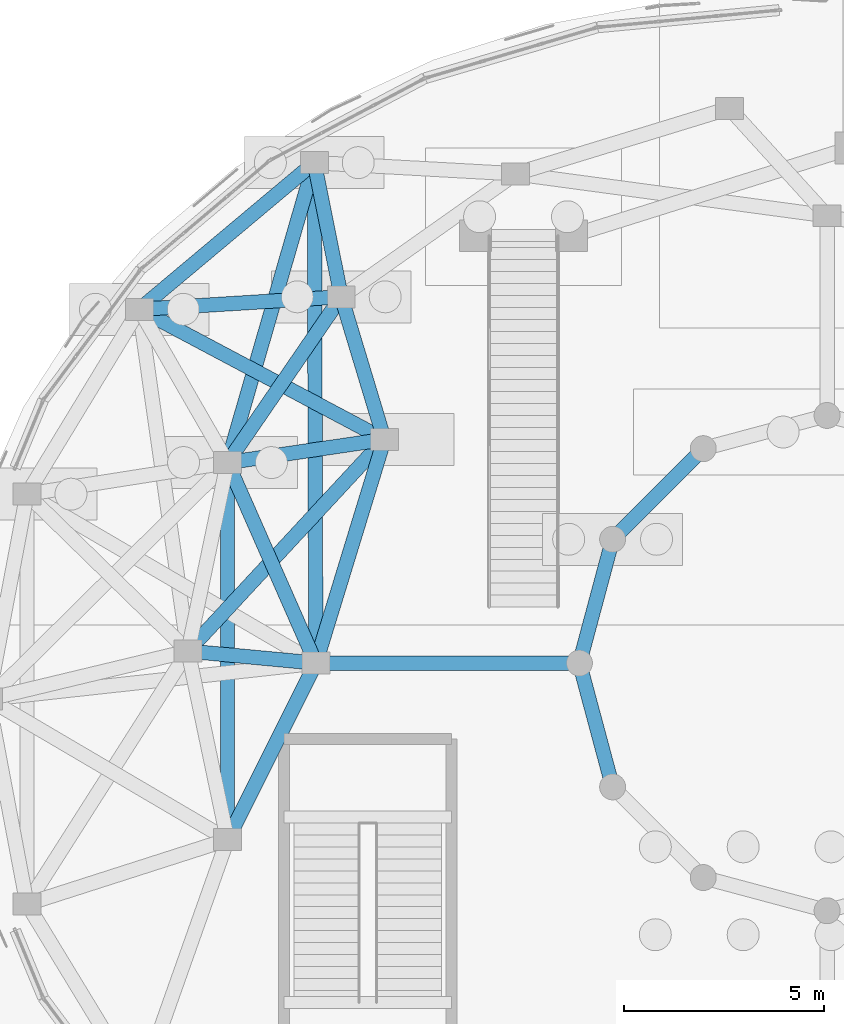
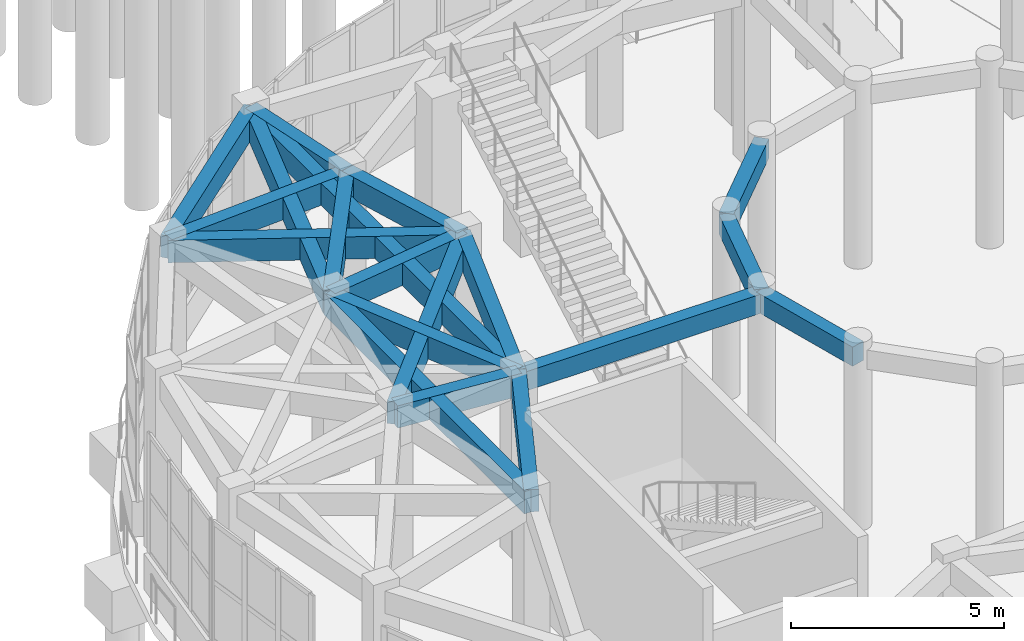
# One storey, part 17 of 96: 19 beams.
"""IFC4 building model written with IfcOpenShell, lengths in metres."""

from ifc_helpers import new_model, si_unit, direction, frame, origin, origin_2d, place, context, subcontext, project, spatial, rectangle, extrude, material, material_profile, profile_set, type_object, element, save


model = new_model("IFC4")

# Units and contexts
model_context = context("Model", 3, precision=1e-05, world=origin(), true_north=direction((0.0, 1.0)))
body_context = subcontext(model_context, "Body", "Model", "MODEL_VIEW")
ifc_project = project(units=[si_unit("LENGTHUNIT", "METRE"), si_unit("AREAUNIT", "SQUARE_METRE"), si_unit("VOLUMEUNIT", "CUBIC_METRE"), si_unit("PLANEANGLEUNIT", "RADIAN"), si_unit("MASSUNIT", "GRAM", prefix="KILO")], contexts=[model_context])

# Site, building, storey
site_placement = place(None, origin())
site = spatial("IfcSite", under=ifc_project, at=site_placement, CompositionType="ELEMENT")
building_placement = place(site_placement, origin())
building = spatial("IfcBuilding", under=site, at=building_placement, Name="Pelvatis Terrace Science Centre", CompositionType="ELEMENT")
storey_placement = place(building_placement, origin())
storey = spatial("IfcBuildingStorey", under=building, at=storey_placement, Name="L00", CompositionType="ELEMENT", Elevation=0.0)

# Beams
ifc_material_1 = material(Name="Concrete C35/45", Category="concrete")
ifc_material_profile_1 = material_profile(ifc_material_1, rectangle(XDim=0.360107421875, YDim=0.550048828125, at=origin_2d()), Name="RC-BM 360x550")
ifc_profile_set_1 = profile_set([ifc_material_profile_1], Name="Concrete C35/45")
beam_type_1 = type_object("IfcBeamType", Name="BM-RC-360x550", PredefinedType="BEAM", material=ifc_profile_set_1)
beam_1_placement = place(storey_placement, frame((43.699951171875, 40.469482421875, 4.864990234375), z_axis=(-0.707068745266, -0.707144815061, 0.0), x_axis=(0.707144815061, -0.707068745266, 0.0)))
element("IfcBeam", 1, at=beam_1_placement, inside=storey, type_object=beam_type_1, Name="Beam BM-L00-2226", PredefinedType="BEAM", context=body_context, shape_type="SweptSolid", body=[
    extrude(rectangle(XDim=0.360107421875, YDim=0.550048828125, at=origin_2d()), origin(), (0.0, 0.0, 1.0), 3.20947265625),
])
beam_2_placement = place(storey_placement, frame((41.4306640625, 38.199951171875, 4.864990234375), z_axis=(-0.258808334578, -0.965928696102, 0.0), x_axis=(0.965928696102, -0.258808334578, 0.0)))
element("IfcBeam", 2, at=beam_2_placement, inside=storey, type_object=beam_type_1, Name="Beam BM-L00-2227", PredefinedType="BEAM", context=body_context, shape_type="SweptSolid", body=[
    extrude(rectangle(XDim=0.360107421875, YDim=0.550048828125, at=origin_2d()), origin(), (0.0, 0.0, 1.0), 3.209228515625),
])
beam_3_placement = place(storey_placement, frame((40.60009765625, 35.10009765625, 4.864990234375), z_axis=(0.258789317819, -0.9659337912, 0.0), x_axis=(0.9659337912, 0.258789317819, 0.0)))
element("IfcBeam", 3, at=beam_3_placement, inside=storey, type_object=beam_type_1, Name="Beam BM-L00-2228", PredefinedType="BEAM", context=body_context, shape_type="SweptSolid", body=[
    extrude(rectangle(XDim=0.360107421875, YDim=0.550048828125, at=origin_2d()), origin(), (0.0, 0.0, 1.0), 3.20947265625),
])
beam_4_placement = place(storey_placement, frame((40.60009765625, 35.10009765625, 4.864990234375), z_axis=(-1.0, 0.0, 0.0), x_axis=(0.0, -1.0, 0.0)))
element("IfcBeam", 4, at=beam_4_placement, inside=storey, type_object=beam_type_1, Name="Beam BM-L00-2229", PredefinedType="BEAM", context=body_context, shape_type="SweptSolid", body=[
    extrude(rectangle(XDim=0.360107421875, YDim=0.550048828125, at=origin_2d()), origin(), (0.0, 0.0, 1.0), 6.60009765625),
])
ifc_material_2 = material(Name="Concrete C35/45", Category="concrete")
ifc_material_profile_2 = material_profile(ifc_material_2, rectangle(XDim=0.360107421875, YDim=0.639892578125, at=origin_2d()), Name="RC-SPN 360x640")
ifc_profile_set_2 = profile_set([ifc_material_profile_2], Name="Concrete C35/45")
beam_type_2 = type_object("IfcBeamType", Name="SPN-RC-360x640", PredefinedType="SPANDREL", material=ifc_profile_set_2)
beam_5_placement = place(storey_placement, frame((34.636962890625, 44.2705078125, 4.820068359375), z_axis=(-0.565764912988, -0.824566591145, 0.0), x_axis=(0.824566591145, -0.565764912988, 0.0)))
element("IfcBeam", 5, at=beam_5_placement, inside=storey, type_object=beam_type_2, Name="Spandrel SP-L00-2321", PredefinedType="SPANDREL", context=body_context, shape_type="SweptSolid", body=[
    extrude(rectangle(XDim=0.360107421875, YDim=0.639892578125, at=origin_2d()), origin(), (0.0, 0.0, 1.0), 5.03369140625),
])
beam_6_placement = place(storey_placement, frame((34.636962890625, 44.2705078125, 4.820068359375), z_axis=(-0.197020443803, 0.980399380214, 0.0), x_axis=(-0.980399380214, -0.197020443803, 0.0)))
element("IfcBeam", 6, at=beam_6_placement, inside=storey, type_object=beam_type_2, Name="Spandrel SP-L00-2322", PredefinedType="SPANDREL", context=body_context, shape_type="SweptSolid", body=[
    extrude(rectangle(XDim=0.360107421875, YDim=0.639892578125, at=origin_2d()), origin(), (0.0, 0.0, 1.0), 3.42626953125),
])
beam_7_placement = place(storey_placement, frame((34.636962890625, 44.2705078125, 4.820068359375), z_axis=(-0.998086005435, -0.06184113319, 0.0), x_axis=(0.06184113319, -0.998086005435, 0.0)))
element("IfcBeam", 7, at=beam_7_placement, inside=storey, type_object=beam_type_2, Name="Spandrel SP-L00-2323", PredefinedType="SPANDREL", context=body_context, shape_type="SweptSolid", body=[
    extrude(rectangle(XDim=0.360107421875, YDim=0.639892578125, at=origin_2d()), origin(), (0.0, 0.0, 1.0), 5.065185546875),
])
beam_8_placement = place(storey_placement, frame((34.636962890625, 44.2705078125, 4.820068359375), z_axis=(0.288998932393, -0.95732941931, 0.0), x_axis=(0.95732941931, 0.288998932393, 0.0)))
element("IfcBeam", 8, at=beam_8_placement, inside=storey, type_object=beam_type_2, Name="Spandrel SP-L00-2324", PredefinedType="SPANDREL", context=body_context, shape_type="SweptSolid", body=[
    extrude(rectangle(XDim=0.360107421875, YDim=0.639892578125, at=origin_2d()), origin(), (0.0, 0.0, 1.0), 3.729736328125),
])
beam_9_placement = place(storey_placement, frame((31.7890625, 40.119873046875, 4.820068359375), z_axis=(0.0, -1.0, 0.0), x_axis=(1.0, 0.0, 0.0)))
element("IfcBeam", 9, at=beam_9_placement, inside=storey, type_object=beam_type_2, Name="Spandrel SP-L00-2326", PredefinedType="SPANDREL", context=body_context, shape_type="SweptSolid", body=[
    extrude(rectangle(XDim=0.360107421875, YDim=0.639892578125, at=origin_2d()), origin(), (0.0, 0.0, 1.0), 9.439697265625),
])
beam_10_placement = place(storey_placement, frame((31.7890625, 40.119873046875, 4.820068359375), z_axis=(0.277936750746, 0.960599376736, 0.0), x_axis=(-0.960599376736, 0.277936750746, 0.0)))
element("IfcBeam", 10, at=beam_10_placement, inside=storey, type_object=beam_type_2, Name="Spandrel SP-L00-2327", PredefinedType="SPANDREL", context=body_context, shape_type="SweptSolid", body=[
    extrude(rectangle(XDim=0.360107421875, YDim=0.639892578125, at=origin_2d()), origin(), (0.0, 0.0, 1.0), 7.81787109375),
])
beam_11_placement = place(storey_placement, frame((31.7890625, 40.119873046875, 4.820068359375), z_axis=(0.98925888427, 0.146174073944, 0.0), x_axis=(-0.146174073944, 0.98925888427, 0.0)))
element("IfcBeam", 11, at=beam_11_placement, inside=storey, type_object=beam_type_2, Name="Spandrel SP-L00-2331", PredefinedType="SPANDREL", context=body_context, shape_type="SweptSolid", body=[
    extrude(rectangle(XDim=0.360107421875, YDim=0.639892578125, at=origin_2d()), origin(), (0.0, 0.0, 1.0), 3.968505859375),
])
beam_12_placement = place(storey_placement, frame((31.7890625, 40.119873046875, 4.820068359375), z_axis=(0.403080165628, -0.915164673749, 0.0), x_axis=(0.915164673749, 0.403080165628, 0.0)))
element("IfcBeam", 12, at=beam_12_placement, inside=storey, type_object=beam_type_2, Name="Spandrel SP-L00-2332", PredefinedType="SPANDREL", context=body_context, shape_type="SweptSolid", body=[
    extrude(rectangle(XDim=0.360107421875, YDim=0.639892578125, at=origin_2d()), origin(), (0.0, 0.0, 1.0), 5.485107421875),
])
beam_13_placement = place(storey_placement, frame((30.800048828125, 35.39990234375, 4.820068359375), z_axis=(0.679954752687, 0.733254072132, 0.0), x_axis=(-0.733254072132, 0.679954752687, 0.0)))
element("IfcBeam", 13, at=beam_13_placement, inside=storey, type_object=beam_type_2, Name="Spandrel SP-L00-2338", PredefinedType="SPANDREL", context=body_context, shape_type="SweptSolid", body=[
    extrude(rectangle(XDim=0.360107421875, YDim=0.639892578125, at=origin_2d()), origin(), (0.0, 0.0, 1.0), 7.22802734375),
])
beam_14_placement = place(storey_placement, frame((30.800048828125, 35.39990234375, 4.820068359375), z_axis=(0.995639739504, -0.09328187992, 0.0), x_axis=(0.09328187992, 0.995639739504, 0.0)))
element("IfcBeam", 14, at=beam_14_placement, inside=storey, type_object=beam_type_2, Name="Spandrel SP-L00-2339", PredefinedType="SPANDREL", context=body_context, shape_type="SweptSolid", body=[
    extrude(rectangle(XDim=0.360107421875, YDim=0.639892578125, at=origin_2d()), origin(), (0.0, 0.0, 1.0), 3.2138671875),
])
beam_15_placement = place(storey_placement, frame((31.7890625, 30.68017578125, 4.820068359375), z_axis=(0.447371670377, 0.894348136099, 0.0), x_axis=(-0.894348136099, 0.447371670377, 0.0)))
element("IfcBeam", 15, at=beam_15_placement, inside=storey, type_object=beam_type_2, Name="Spandrel SP-L00-2343", PredefinedType="SPANDREL", context=body_context, shape_type="SweptSolid", body=[
    extrude(rectangle(XDim=0.360107421875, YDim=0.639892578125, at=origin_2d()), origin(), (0.0, 0.0, 1.0), 4.942138671875),
])
beam_16_placement = place(storey_placement, frame((33.9619140625, 47.629638671875, 4.820068359375), z_axis=(-0.766320417296, -0.642458573011, 0.0), x_axis=(0.642458573011, -0.766320417296, 0.0)))
element("IfcBeam", 16, at=beam_16_placement, inside=storey, type_object=beam_type_2, Name="Spandrel SP-L00-2369", PredefinedType="SPANDREL", context=body_context, shape_type="SweptSolid", body=[
    extrude(rectangle(XDim=0.360107421875, YDim=0.639892578125, at=origin_2d()), origin(), (0.0, 0.0, 1.0), 5.716064453125),
])
beam_17_placement = place(storey_placement, frame((33.9619140625, 47.629638671875, 4.820068359375), z_axis=(0.003039677312, -0.99999538017, 0.0), x_axis=(0.99999538017, 0.003039677312, 0.0)))
element("IfcBeam", 17, at=beam_17_placement, inside=storey, type_object=beam_type_2, Name="Spandrel SP-L00-2370", PredefinedType="SPANDREL", context=body_context, shape_type="SweptSolid", body=[
    extrude(rectangle(XDim=0.360107421875, YDim=0.639892578125, at=origin_2d()), origin(), (0.0, 0.0, 1.0), 12.529541015625),
])
beam_18_placement = place(storey_placement, frame((29.58154296875, 43.957275390625, 4.820068359375), z_axis=(0.883174884951, -0.469043838668, 0.0), x_axis=(0.469043838668, 0.883174884951, 0.0)))
element("IfcBeam", 18, at=beam_18_placement, inside=storey, type_object=beam_type_2, Name="Spandrel SP-L00-2372", PredefinedType="SPANDREL", context=body_context, shape_type="SweptSolid", body=[
    extrude(rectangle(XDim=0.360107421875, YDim=0.639892578125, at=origin_2d()), origin(), (0.0, 0.0, 1.0), 6.944580078125),
])
beam_19_placement = place(storey_placement, frame((35.71484375, 40.699951171875, 4.820068359375), z_axis=(-0.292808391505, -0.956171138376, 0.0), x_axis=(0.956171138376, -0.292808391505, 0.0)))
element("IfcBeam", 19, at=beam_19_placement, inside=storey, type_object=beam_type_2, Name="Spandrel SP-L00-2393", PredefinedType="SPANDREL", context=body_context, shape_type="SweptSolid", body=[
    extrude(rectangle(XDim=0.360107421875, YDim=0.639892578125, at=origin_2d()), origin(), (0.0, 0.0, 1.0), 5.8564453125),
])

save(model, "model.ifc")
